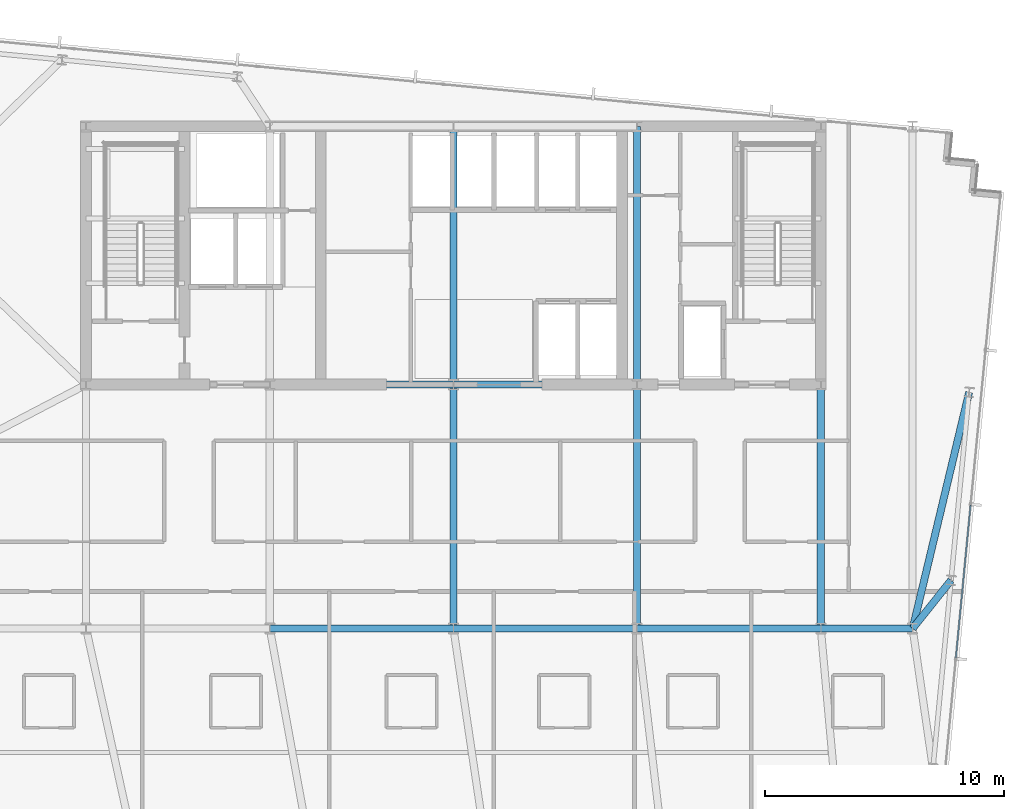
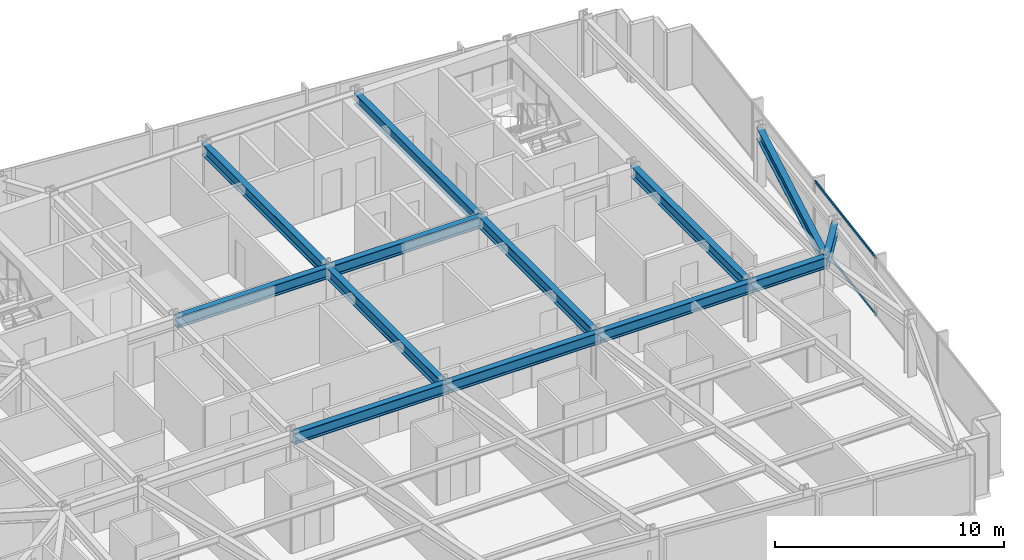
# One storey, part 17 of 38: 13 beams, 2 members, 1 element without a shape of its own.
"""IFC4 building model written with IfcOpenShell, lengths in metres."""

from ifc_helpers import new_model, si_unit, direction, frame, origin, origin_2d, place, context, subcontext, project, spatial, hollow_rectangle, i_section, extrude, material, material_profile, profile_set, type_object, element, aggregate, save


model = new_model("IFC4")

# Units and contexts
model_context = context("Model", 3, precision=1e-05, world=origin(), true_north=direction((0.0, 1.0)))
body_context = subcontext(model_context, "Body", "Model", "MODEL_VIEW")
ifc_project = project(units=[si_unit("LENGTHUNIT", "METRE"), si_unit("AREAUNIT", "SQUARE_METRE"), si_unit("VOLUMEUNIT", "CUBIC_METRE"), si_unit("PLANEANGLEUNIT", "RADIAN"), si_unit("MASSUNIT", "GRAM", prefix="KILO")], contexts=[model_context])

# Site, building, storey
site_placement = place(None, origin())
site = spatial("IfcSite", under=ifc_project, at=site_placement, CompositionType="ELEMENT")
building_placement = place(site_placement, origin())
building = spatial("IfcBuilding", under=site, at=building_placement, Name="Yelkora Congress Tower", CompositionType="ELEMENT")
storey_placement = place(building_placement, frame((0.0, 0.0, 172.10009765625)))
storey = spatial("IfcBuildingStorey", under=building, at=storey_placement, Name="L47", CompositionType="ELEMENT", Elevation=172.10009765625)

# Beams
ifc_material_1 = material(Name="Steel S355J2", Category="steel")
ifc_material_profile_1 = material_profile(ifc_material_1, i_section(OverallWidth=0.300048828125, OverallDepth=0.60009765625, WebThickness=0.015380859375, FlangeThickness=0.030029296875, FilletRadius=0.027099609375, at=origin_2d()), Name="HEB 600")
ifc_profile_set_1 = profile_set([ifc_material_profile_1], Name="Steel S355J2")
beam_type = type_object("IfcBeamType", Name="BM-GIRD-HEB600", PredefinedType="BEAM", material=ifc_profile_set_1)
beam_1_placement = place(storey_placement, frame((30.719970703125, 25.199951171875, 2.77978515625), z_axis=(1.0, 0.0, 0.0), x_axis=(0.0, 1.0, 0.0)))
element("IfcBeam", 1, at=beam_1_placement, inside=storey, type_object=beam_type, Name="L47 Spine Grid D Girder 3", PredefinedType="BEAM", context=body_context, shape_type="SweptSolid", body=[
    extrude(i_section(OverallWidth=0.300048828125, OverallDepth=0.60009765625, WebThickness=0.015380859375, FlangeThickness=0.030029296875, FilletRadius=0.027099609375, at=origin_2d()), origin(), (0.0, 0.0, 1.0), 7.679931640625),
])
beam_2_placement = place(storey_placement, frame((38.39990234375, 25.199951171875, 2.77978515625), z_axis=(1.0, 0.0, 0.0), x_axis=(0.0, 1.0, 0.0)))
element("IfcBeam", 2, at=beam_2_placement, inside=storey, type_object=beam_type, Name="L47 Spine Grid D Girder 4", PredefinedType="BEAM", context=body_context, shape_type="SweptSolid", body=[
    extrude(i_section(OverallWidth=0.300048828125, OverallDepth=0.60009765625, WebThickness=0.015380859375, FlangeThickness=0.030029296875, FilletRadius=0.027099609375, at=origin_2d()), origin(), (0.0, 0.0, 1.0), 7.68017578125),
])
beam_3_placement = place(storey_placement, frame((46.080078125, 25.199951171875, 2.77978515625), z_axis=(1.0, 0.0, 0.0), x_axis=(0.0, 1.0, 0.0)))
element("IfcBeam", 3, at=beam_3_placement, inside=storey, type_object=beam_type, Name="L47 Spine Grid D Girder 5", PredefinedType="BEAM", context=body_context, shape_type="SweptSolid", body=[
    extrude(i_section(OverallWidth=0.300048828125, OverallDepth=0.60009765625, WebThickness=0.015380859375, FlangeThickness=0.030029296875, FilletRadius=0.027099609375, at=origin_2d()), origin(), (0.0, 0.0, 1.0), 7.679931640625),
])
beam_4_placement = place(storey_placement, frame((53.760009765625, 25.199951171875, 2.77978515625), z_axis=(1.0, 0.0, 0.0), x_axis=(0.0, 1.0, 0.0)))
element("IfcBeam", 4, at=beam_4_placement, inside=storey, type_object=beam_type, Name="L47 Spine Grid D Girder 6", PredefinedType="BEAM", context=body_context, shape_type="SweptSolid", body=[
    extrude(i_section(OverallWidth=0.300048828125, OverallDepth=0.60009765625, WebThickness=0.015380859375, FlangeThickness=0.030029296875, FilletRadius=0.027099609375, at=origin_2d()), origin(), (0.0, 0.0, 1.0), 3.840087890625),
])
beam_5_placement = place(storey_placement, frame((30.719970703125, 35.39990234375, 2.77978515625), z_axis=(1.0, 0.0, 0.0), x_axis=(0.0, 1.0, 0.0)))
element("IfcBeam", 5, at=beam_5_placement, inside=storey, type_object=beam_type, Name="L47 Core South Girder 2", PredefinedType="BEAM", context=body_context, shape_type="SweptSolid", body=[
    extrude(i_section(OverallWidth=0.300048828125, OverallDepth=0.60009765625, WebThickness=0.015380859375, FlangeThickness=0.030029296875, FilletRadius=0.027099609375, at=origin_2d()), origin(), (0.0, 0.0, 1.0), 7.679931640625),
])
beam_6_placement = place(storey_placement, frame((38.39990234375, 35.39990234375, 2.77978515625), z_axis=(1.0, 0.0, 0.0), x_axis=(0.0, 1.0, 0.0)))
element("IfcBeam", 6, at=beam_6_placement, inside=storey, type_object=beam_type, Name="L47 Core South Girder 3", PredefinedType="BEAM", context=body_context, shape_type="SweptSolid", body=[
    extrude(i_section(OverallWidth=0.300048828125, OverallDepth=0.60009765625, WebThickness=0.015380859375, FlangeThickness=0.030029296875, FilletRadius=0.027099609375, at=origin_2d()), origin(), (0.0, 0.0, 1.0), 7.68017578125),
])
beam_7_placement = place(storey_placement, frame((38.39990234375, 25.199951171875, 2.77978515625), z_axis=(0.0, 1.0, 0.0), x_axis=(-1.0, 0.0, 0.0)))
element("IfcBeam", 7, at=beam_7_placement, inside=storey, type_object=beam_type, Name="L47 Core Tie Girder MC-D3", PredefinedType="BEAM", context=body_context, shape_type="SweptSolid", body=[
    extrude(i_section(OverallWidth=0.300048828125, OverallDepth=0.60009765625, WebThickness=0.015380859375, FlangeThickness=0.030029296875, FilletRadius=0.027099609375, at=origin_2d()), origin(), (0.0, 0.0, 1.0), 10.199951171875),
])
beam_8_placement = place(storey_placement, frame((38.39990234375, 35.39990234375, 2.77978515625), z_axis=(0.0, 1.0, 0.0), x_axis=(-1.0, 0.0, 0.0)))
element("IfcBeam", 8, at=beam_8_placement, inside=storey, type_object=beam_type, Name="L47 Core Tie Girder MC-S3", PredefinedType="BEAM", context=body_context, shape_type="SweptSolid", body=[
    extrude(i_section(OverallWidth=0.300048828125, OverallDepth=0.60009765625, WebThickness=0.015380859375, FlangeThickness=0.030029296875, FilletRadius=0.027099609375, at=origin_2d()), origin(), (0.0, 0.0, 1.0), 10.800048828125),
])
beam_9_placement = place(storey_placement, frame((46.080078125, 25.199951171875, 2.77978515625), z_axis=(0.0, 1.0, 0.0), x_axis=(-1.0, 0.0, 0.0)))
element("IfcBeam", 9, at=beam_9_placement, inside=storey, type_object=beam_type, Name="L47 Core Tie Girder MC-D4", PredefinedType="BEAM", context=body_context, shape_type="SweptSolid", body=[
    extrude(i_section(OverallWidth=0.300048828125, OverallDepth=0.60009765625, WebThickness=0.015380859375, FlangeThickness=0.030029296875, FilletRadius=0.027099609375, at=origin_2d()), origin(), (0.0, 0.0, 1.0), 10.199951171875),
])
beam_10_placement = place(storey_placement, frame((46.080078125, 35.39990234375, 2.77978515625), z_axis=(0.0, 1.0, 0.0), x_axis=(-1.0, 0.0, 0.0)))
element("IfcBeam", 10, at=beam_10_placement, inside=storey, type_object=beam_type, Name="L47 Core Tie Girder MC-S4", PredefinedType="BEAM", context=body_context, shape_type="SweptSolid", body=[
    extrude(i_section(OverallWidth=0.300048828125, OverallDepth=0.60009765625, WebThickness=0.015380859375, FlangeThickness=0.030029296875, FilletRadius=0.027099609375, at=origin_2d()), origin(), (0.0, 0.0, 1.0), 10.800048828125),
])
beam_11_placement = place(storey_placement, frame((53.760009765625, 25.199951171875, 2.77978515625), z_axis=(0.0, 1.0, 0.0), x_axis=(-1.0, 0.0, 0.0)))
element("IfcBeam", 11, at=beam_11_placement, inside=storey, type_object=beam_type, Name="L47 Core Tie Girder MC-D5", PredefinedType="BEAM", context=body_context, shape_type="SweptSolid", body=[
    extrude(i_section(OverallWidth=0.300048828125, OverallDepth=0.60009765625, WebThickness=0.015380859375, FlangeThickness=0.030029296875, FilletRadius=0.027099609375, at=origin_2d()), origin(), (0.0, 0.0, 1.0), 10.199951171875),
])
beam_12_placement = place(storey_placement, frame((59.206298828125, 27.217529296875, 2.77978515625), z_axis=(-0.622834511353, -0.782353610248, 0.0), x_axis=(0.782353610248, -0.622834511353, 0.0)))
element("IfcBeam", 12, at=beam_12_placement, inside=storey, type_object=beam_type, Name="L47 Primary Frame Girder E02", PredefinedType="BEAM", context=body_context, shape_type="SweptSolid", body=[
    extrude(i_section(OverallWidth=0.300048828125, OverallDepth=0.60009765625, WebThickness=0.015380859375, FlangeThickness=0.030029296875, FilletRadius=0.027099609375, at=origin_2d()), origin(), (0.0, 0.0, 1.0), 2.578857421875),
])
beam_13_placement = place(storey_placement, frame((59.96337890625, 35.0810546875, 2.77978515625), z_axis=(-0.23261126158, -0.972569792347, 0.0), x_axis=(0.972569792347, -0.23261126158, 0.0)))
element("IfcBeam", 13, at=beam_13_placement, inside=storey, type_object=beam_type, Name="L47 Primary Frame Girder E03", PredefinedType="BEAM", context=body_context, shape_type="SweptSolid", body=[
    extrude(i_section(OverallWidth=0.300048828125, OverallDepth=0.60009765625, WebThickness=0.015380859375, FlangeThickness=0.030029296875, FilletRadius=0.027099609375, at=origin_2d()), origin(), (0.0, 0.0, 1.0), 10.15966796875),
])

# Curtain wall, members
ifc_material_2 = material(Name="Anodised aluminium and insulated glass", Category="aluminium")
curtain_wall_type = type_object("IfcCurtainWallType", Name="CW-SYS-B3", PredefinedType="NOTDEFINED", material=ifc_material_2)
curtain_wall_placement = place(storey_placement, origin())
curtain_wall = element("IfcCurtainWall", 14, at=curtain_wall_placement, inside=storey, type_object=curtain_wall_type, Name="L47 Unitised Curtain Wall 15", PredefinedType="NOTDEFINED")
ifc_material_3 = material(Name="Anodised aluminium 6063-T6", Category="aluminium")
ifc_material_profile_2 = material_profile(ifc_material_3, hollow_rectangle(XDim=0.06005859375, YDim=0.1298828125, WallThickness=0.00390625, at=origin_2d()), Name="ALU 60x130x4")
ifc_profile_set_2 = profile_set([ifc_material_profile_2], Name="Anodised aluminium 6063-T6")
member_type = type_object("IfcMemberType", Name="MEM-TR-B3", PredefinedType="USERDEFINED", material=ifc_profile_set_2)
member_1_placement = place(storey_placement, frame((60.021484375, 30.36083984375, 0.02978515625), z_axis=(-0.095843682057, -0.995396397728, 0.0), x_axis=(0.995396397728, -0.095843682057, 0.0)))
member_1 = element("IfcMember", 15, at=member_1_placement, type_object=member_type, Name="CW-B3 transom 3.1", ObjectType="TRANSOM", PredefinedType="USERDEFINED", context=body_context, shape_type="SweptSolid", body=[
    extrude(hollow_rectangle(XDim=0.06005859375, YDim=0.1298828125, WallThickness=0.00390625, at=origin_2d()), origin(), (0.0, 0.0, 1.0), 6.4140625),
])
member_2_placement = place(storey_placement, frame((60.021484375, 30.36083984375, 3.0498046875), z_axis=(-0.095843682057, -0.995396397728, 0.0), x_axis=(0.995396397728, -0.095843682057, 0.0)))
member_2 = element("IfcMember", 16, at=member_2_placement, type_object=member_type, Name="CW-B3 transom 3.2", ObjectType="TRANSOM", PredefinedType="USERDEFINED", context=body_context, shape_type="SweptSolid", body=[
    extrude(hollow_rectangle(XDim=0.06005859375, YDim=0.1298828125, WallThickness=0.00390625, at=origin_2d()), origin(), (0.0, 0.0, 1.0), 6.4140625),
])
aggregate(curtain_wall, [member_1, member_2])

save(model, "model.ifc")
